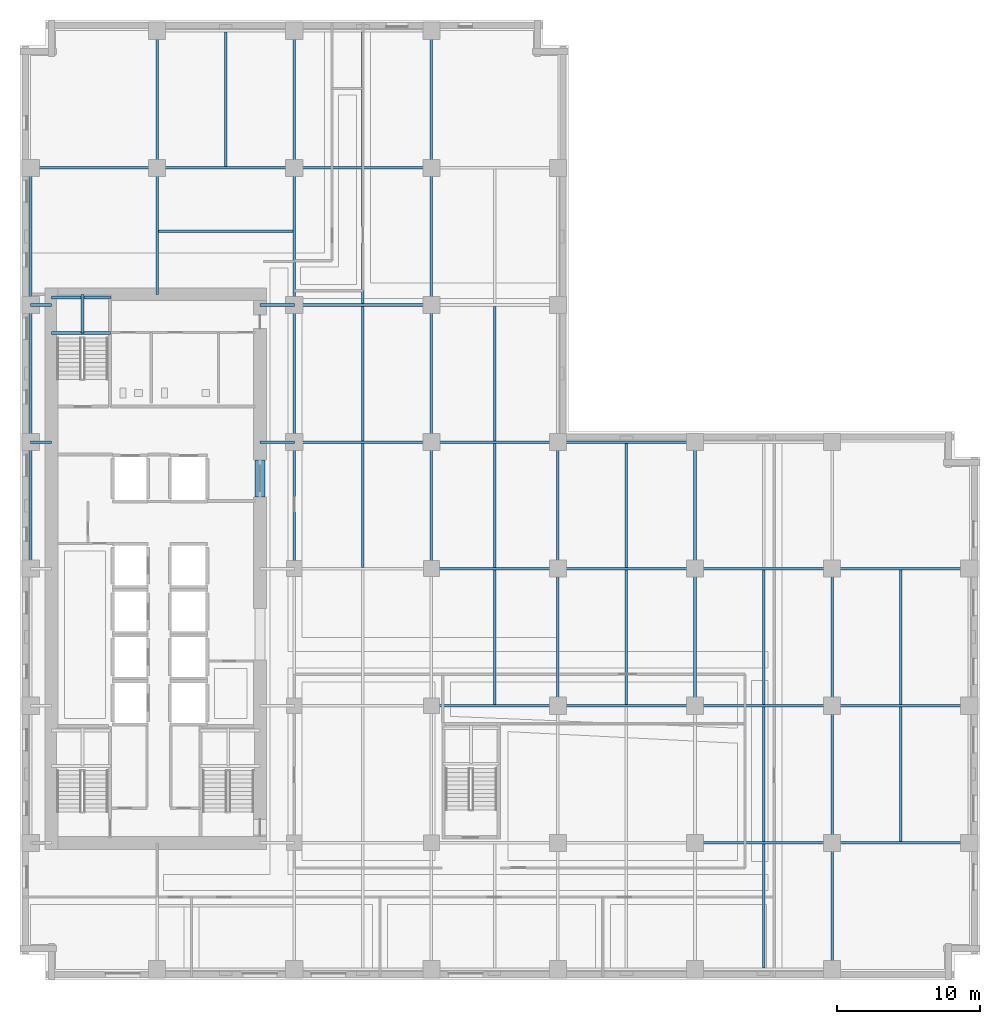
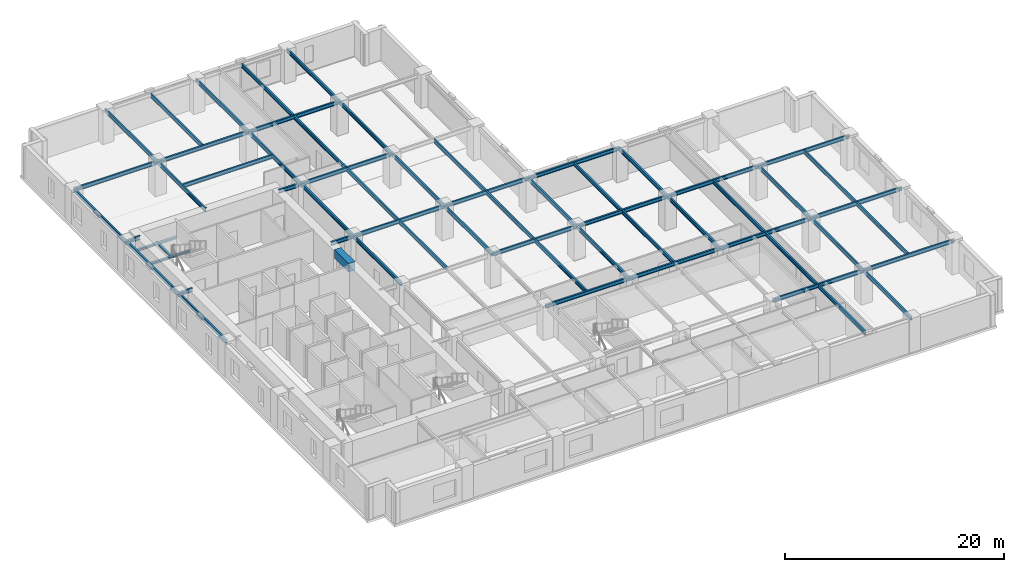
# One storey, part 2 of 13: 61 beams.
"""IFC4 building model written with IfcOpenShell, lengths in metres."""

from ifc_helpers import new_model, si_unit, direction, frame, origin, origin_2d, place, context, subcontext, project, spatial, rectangle, i_section, extrude, material, material_profile, profile_set, type_object, element, save


model = new_model("IFC4")

# Units and contexts
model_context = context("Model", 3, precision=1e-05, world=origin(), true_north=direction((0.0, 1.0)))
body_context = subcontext(model_context, "Body", "Model", "MODEL_VIEW")
ifc_project = project(units=[si_unit("LENGTHUNIT", "METRE"), si_unit("AREAUNIT", "SQUARE_METRE"), si_unit("VOLUMEUNIT", "CUBIC_METRE"), si_unit("PLANEANGLEUNIT", "RADIAN"), si_unit("MASSUNIT", "GRAM", prefix="KILO")], contexts=[model_context])

# Site, building, storey
site_placement = place(None, origin())
site = spatial("IfcSite", under=ifc_project, at=site_placement, CompositionType="ELEMENT")
building_placement = place(site_placement, origin())
building = spatial("IfcBuilding", under=site, at=building_placement, Name="Norrvale University Quadrangle", CompositionType="ELEMENT")
storey_placement = place(building_placement, frame((0.0, 0.0, 35.60009765625)))
storey = spatial("IfcBuildingStorey", under=building, at=storey_placement, Name="L08", CompositionType="ELEMENT", Elevation=35.60009765625)

# Beams
ifc_material_1 = material(Name="Steel 350W", Category="steel")
ifc_material_profile_1 = material_profile(ifc_material_1, i_section(OverallWidth=0.180908203125, OverallDepth=0.4169921875, WebThickness=0.010986328125, FlangeThickness=0.018310546875, FilletRadius=0.011962890625, at=origin_2d()), Name="Steel 350W")
ifc_profile_set_1 = profile_set([ifc_material_profile_1], Name="Steel 350W")
beam_type_1 = type_object("IfcBeamType", Name="Beam Atrium W410x85", PredefinedType="BEAM", material=ifc_profile_set_1)
beam_1_placement = place(storey_placement, frame((47.25, 9.60009765625, 3.331298828125), z_axis=(1.0, 0.0, 0.0), x_axis=(0.0, 1.0, 0.0)))
element("IfcBeam", 1, at=beam_1_placement, inside=storey, type_object=beam_type_1, Name="Beam Atrium W410x85 BM-L08-GX009", PredefinedType="BEAM", context=body_context, shape_type="SweptSolid", body=[
    extrude(i_section(OverallWidth=0.180908203125, OverallDepth=0.4169921875, WebThickness=0.010986328125, FlangeThickness=0.018310546875, FilletRadius=0.011962890625, at=origin_2d()), origin(), (0.0, 0.0, 1.0), 9.60009765625),
])
beam_2_placement = place(storey_placement, frame((56.85009765625, 9.60009765625, 3.331298828125), z_axis=(1.0, 0.0, 0.0), x_axis=(0.0, 1.0, 0.0)))
element("IfcBeam", 2, at=beam_2_placement, inside=storey, type_object=beam_type_1, Name="Beam Atrium W410x85 BM-L08-GX010", PredefinedType="BEAM", context=body_context, shape_type="SweptSolid", body=[
    extrude(i_section(OverallWidth=0.180908203125, OverallDepth=0.4169921875, WebThickness=0.010986328125, FlangeThickness=0.018310546875, FilletRadius=0.011962890625, at=origin_2d()), origin(), (0.0, 0.0, 1.0), 9.599853515625),
])
beam_3_placement = place(storey_placement, frame((28.800048828125, 19.199951171875, 3.331298828125), z_axis=(1.0, 0.0, 0.0), x_axis=(0.0, 1.0, 0.0)))
element("IfcBeam", 3, at=beam_3_placement, inside=storey, type_object=beam_type_1, Name="Beam Atrium W410x85 BM-L08-GX012", PredefinedType="BEAM", context=body_context, shape_type="SweptSolid", body=[
    extrude(i_section(OverallWidth=0.180908203125, OverallDepth=0.4169921875, WebThickness=0.010986328125, FlangeThickness=0.018310546875, FilletRadius=0.011962890625, at=origin_2d()), origin(), (0.0, 0.0, 1.0), 8.849853515625),
])
for number, where, z_axis, x_axis, name in (
    (4, (37.64990234375, 19.199951171875, 3.331298828125), (1.0, 0.0, 0.0), (0.0, 1.0, 0.0), "Beam Atrium W410x85 BM-L08-GX013"),
    (5, (47.25, 19.199951171875, 3.331298828125), (1.0, 0.0, 0.0), (0.0, 1.0, 0.0), "Beam Atrium W410x85 BM-L08-GX014"),
):
    element("IfcBeam", number, at=place(storey_placement, frame(where, z_axis=z_axis, x_axis=x_axis)), inside=storey, type_object=beam_type_1, Name=name, PredefinedType="BEAM", context=body_context, shape_type="SweptSolid", body=[
        extrude(i_section(OverallWidth=0.180908203125, OverallDepth=0.4169921875, WebThickness=0.010986328125, FlangeThickness=0.018310546875, FilletRadius=0.011962890625, at=origin_2d()), origin(), (0.0, 0.0, 1.0), 9.60009765625),
    ])
beam_4_placement = place(storey_placement, frame((56.85009765625, 19.199951171875, 3.331298828125), z_axis=(1.0, 0.0, 0.0), x_axis=(0.0, 1.0, 0.0)))
element("IfcBeam", 6, at=beam_4_placement, inside=storey, type_object=beam_type_1, Name="Beam Atrium W410x85 BM-L08-GX015", PredefinedType="BEAM", context=body_context, shape_type="SweptSolid", body=[
    extrude(i_section(OverallWidth=0.180908203125, OverallDepth=0.4169921875, WebThickness=0.010986328125, FlangeThickness=0.018310546875, FilletRadius=0.011962890625, at=origin_2d()), origin(), (0.0, 0.0, 1.0), 9.599853515625),
])
beam_5_placement = place(storey_placement, frame((28.800048828125, 28.800048828125, 3.331298828125), z_axis=(1.0, 0.0, 0.0), x_axis=(0.0, 1.0, 0.0)))
element("IfcBeam", 7, at=beam_5_placement, inside=storey, type_object=beam_type_1, Name="Beam Atrium W410x85 BM-L08-GX017", PredefinedType="BEAM", context=body_context, shape_type="SweptSolid", body=[
    extrude(i_section(OverallWidth=0.180908203125, OverallDepth=0.4169921875, WebThickness=0.010986328125, FlangeThickness=0.018310546875, FilletRadius=0.011962890625, at=origin_2d()), origin(), (0.0, 0.0, 1.0), 8.849853515625),
])
for number, where, z_axis, x_axis, name in (
    (8, (37.64990234375, 28.800048828125, 3.331298828125), (1.0, 0.0, 0.0), (0.0, 1.0, 0.0), "Beam Atrium W410x85 BM-L08-GX018"),
    (9, (47.25, 28.800048828125, 3.331298828125), (1.0, 0.0, 0.0), (0.0, 1.0, 0.0), "Beam Atrium W410x85 BM-L08-GX019"),
):
    element("IfcBeam", number, at=place(storey_placement, frame(where, z_axis=z_axis, x_axis=x_axis)), inside=storey, type_object=beam_type_1, Name=name, PredefinedType="BEAM", context=body_context, shape_type="SweptSolid", body=[
        extrude(i_section(OverallWidth=0.180908203125, OverallDepth=0.4169921875, WebThickness=0.010986328125, FlangeThickness=0.018310546875, FilletRadius=0.011962890625, at=origin_2d()), origin(), (0.0, 0.0, 1.0), 9.60009765625),
    ])
beam_6_placement = place(storey_placement, frame((56.85009765625, 28.800048828125, 3.331298828125), z_axis=(1.0, 0.0, 0.0), x_axis=(0.0, 1.0, 0.0)))
element("IfcBeam", 10, at=beam_6_placement, inside=storey, type_object=beam_type_1, Name="Beam Atrium W410x85 BM-L08-GX020", PredefinedType="BEAM", context=body_context, shape_type="SweptSolid", body=[
    extrude(i_section(OverallWidth=0.180908203125, OverallDepth=0.4169921875, WebThickness=0.010986328125, FlangeThickness=0.018310546875, FilletRadius=0.011962890625, at=origin_2d()), origin(), (0.0, 0.0, 1.0), 9.599853515625),
])
beam_7_placement = place(storey_placement, frame((19.199951171875, 37.64990234375, 3.331298828125), z_axis=(1.0, 0.0, 0.0), x_axis=(0.0, 1.0, 0.0)))
element("IfcBeam", 11, at=beam_7_placement, inside=storey, type_object=beam_type_1, Name="Beam Atrium W410x85 BM-L08-GX021", PredefinedType="BEAM", context=body_context, shape_type="SweptSolid", body=[
    extrude(i_section(OverallWidth=0.180908203125, OverallDepth=0.4169921875, WebThickness=0.010986328125, FlangeThickness=0.018310546875, FilletRadius=0.011962890625, at=origin_2d()), origin(), (0.0, 0.0, 1.0), 9.60009765625),
])
beam_8_placement = place(storey_placement, frame((28.800048828125, 37.64990234375, 3.331298828125), z_axis=(1.0, 0.0, 0.0), x_axis=(0.0, 1.0, 0.0)))
element("IfcBeam", 12, at=beam_8_placement, inside=storey, type_object=beam_type_1, Name="Beam Atrium W410x85 BM-L08-GX022", PredefinedType="BEAM", context=body_context, shape_type="SweptSolid", body=[
    extrude(i_section(OverallWidth=0.180908203125, OverallDepth=0.4169921875, WebThickness=0.010986328125, FlangeThickness=0.018310546875, FilletRadius=0.011962890625, at=origin_2d()), origin(), (0.0, 0.0, 1.0), 8.849853515625),
])
for number, where, z_axis, x_axis, name in (
    (13, (37.64990234375, 37.64990234375, 3.331298828125), (1.0, 0.0, 0.0), (0.0, 1.0, 0.0), "Beam Atrium W410x85 BM-L08-GX023"),
    (14, (19.199951171875, 47.25, 3.331298828125), (1.0, 0.0, 0.0), (0.0, 1.0, 0.0), "Beam Atrium W410x85 BM-L08-GX025"),
):
    element("IfcBeam", number, at=place(storey_placement, frame(where, z_axis=z_axis, x_axis=x_axis)), inside=storey, type_object=beam_type_1, Name=name, PredefinedType="BEAM", context=body_context, shape_type="SweptSolid", body=[
        extrude(i_section(OverallWidth=0.180908203125, OverallDepth=0.4169921875, WebThickness=0.010986328125, FlangeThickness=0.018310546875, FilletRadius=0.011962890625, at=origin_2d()), origin(), (0.0, 0.0, 1.0), 9.60009765625),
    ])
beam_9_placement = place(storey_placement, frame((0.75, 56.85009765625, 3.331298828125), z_axis=(1.0, 0.0, 0.0), x_axis=(0.0, 1.0, 0.0)))
element("IfcBeam", 15, at=beam_9_placement, inside=storey, type_object=beam_type_1, Name="Beam Atrium W410x85 BM-L08-GX027", PredefinedType="BEAM", context=body_context, shape_type="SweptSolid", body=[
    extrude(i_section(OverallWidth=0.180908203125, OverallDepth=0.4169921875, WebThickness=0.010986328125, FlangeThickness=0.018310546875, FilletRadius=0.011962890625, at=origin_2d()), origin(), (0.0, 0.0, 1.0), 8.85009765625),
])
beam_10_placement = place(storey_placement, frame((9.60009765625, 56.85009765625, 3.331298828125), z_axis=(1.0, 0.0, 0.0), x_axis=(0.0, 1.0, 0.0)))
element("IfcBeam", 16, at=beam_10_placement, inside=storey, type_object=beam_type_1, Name="Beam Atrium W410x85 BM-L08-GX028", PredefinedType="BEAM", context=body_context, shape_type="SweptSolid", body=[
    extrude(i_section(OverallWidth=0.180908203125, OverallDepth=0.4169921875, WebThickness=0.010986328125, FlangeThickness=0.018310546875, FilletRadius=0.011962890625, at=origin_2d()), origin(), (0.0, 0.0, 1.0), 9.599853515625),
])
beam_11_placement = place(storey_placement, frame((19.199951171875, 56.85009765625, 3.331298828125), z_axis=(1.0, 0.0, 0.0), x_axis=(0.0, 1.0, 0.0)))
element("IfcBeam", 17, at=beam_11_placement, inside=storey, type_object=beam_type_1, Name="Beam Atrium W410x85 BM-L08-GX029", PredefinedType="BEAM", context=body_context, shape_type="SweptSolid", body=[
    extrude(i_section(OverallWidth=0.180908203125, OverallDepth=0.4169921875, WebThickness=0.010986328125, FlangeThickness=0.018310546875, FilletRadius=0.011962890625, at=origin_2d()), origin(), (0.0, 0.0, 1.0), 9.60009765625),
])
beam_12_placement = place(storey_placement, frame((0.75, 28.800048828125, 3.331298828125), z_axis=(0.0, 1.0, 0.0), x_axis=(-1.0, 0.0, 0.0)))
element("IfcBeam", 18, at=beam_12_placement, inside=storey, type_object=beam_type_1, Name="Beam Atrium W410x85 BM-L08-GY035", PredefinedType="BEAM", context=body_context, shape_type="SweptSolid", body=[
    extrude(i_section(OverallWidth=0.180908203125, OverallDepth=0.4169921875, WebThickness=0.010986328125, FlangeThickness=0.018310546875, FilletRadius=0.011962890625, at=origin_2d()), origin(), (0.0, 0.0, 1.0), 8.849853515625),
])
for number, where, z_axis, x_axis, name in (
    (19, (0.75, 37.64990234375, 3.331298828125), (0.0, 1.0, 0.0), (-1.0, 0.0, 0.0), "Beam Atrium W410x85 BM-L08-GY036"),
    (20, (0.75, 47.25, 3.331298828125), (0.0, 1.0, 0.0), (-1.0, 0.0, 0.0), "Beam Atrium W410x85 BM-L08-GY037"),
):
    element("IfcBeam", number, at=place(storey_placement, frame(where, z_axis=z_axis, x_axis=x_axis)), inside=storey, type_object=beam_type_1, Name=name, PredefinedType="BEAM", context=body_context, shape_type="SweptSolid", body=[
        extrude(i_section(OverallWidth=0.180908203125, OverallDepth=0.4169921875, WebThickness=0.010986328125, FlangeThickness=0.018310546875, FilletRadius=0.011962890625, at=origin_2d()), origin(), (0.0, 0.0, 1.0), 9.60009765625),
    ])
beam_13_placement = place(storey_placement, frame((9.60009765625, 56.85009765625, 3.331298828125), z_axis=(0.0, 1.0, 0.0), x_axis=(-1.0, 0.0, 0.0)))
element("IfcBeam", 21, at=beam_13_placement, inside=storey, type_object=beam_type_1, Name="Beam Atrium W410x85 BM-L08-GY038", PredefinedType="BEAM", context=body_context, shape_type="SweptSolid", body=[
    extrude(i_section(OverallWidth=0.180908203125, OverallDepth=0.4169921875, WebThickness=0.010986328125, FlangeThickness=0.018310546875, FilletRadius=0.011962890625, at=origin_2d()), origin(), (0.0, 0.0, 1.0), 9.599853515625),
])
beam_14_placement = place(storey_placement, frame((19.199951171875, 28.800048828125, 3.331298828125), z_axis=(0.0, 1.0, 0.0), x_axis=(-1.0, 0.0, 0.0)))
element("IfcBeam", 22, at=beam_14_placement, inside=storey, type_object=beam_type_1, Name="Beam Atrium W410x85 BM-L08-GY042", PredefinedType="BEAM", context=body_context, shape_type="SweptSolid", body=[
    extrude(i_section(OverallWidth=0.180908203125, OverallDepth=0.4169921875, WebThickness=0.010986328125, FlangeThickness=0.018310546875, FilletRadius=0.011962890625, at=origin_2d()), origin(), (0.0, 0.0, 1.0), 8.849853515625),
])
for number, where, z_axis, x_axis, name in (
    (23, (19.199951171875, 37.64990234375, 3.331298828125), (0.0, 1.0, 0.0), (-1.0, 0.0, 0.0), "Beam Atrium W410x85 BM-L08-GY043"),
    (24, (19.199951171875, 47.25, 3.331298828125), (0.0, 1.0, 0.0), (-1.0, 0.0, 0.0), "Beam Atrium W410x85 BM-L08-GY044"),
):
    element("IfcBeam", number, at=place(storey_placement, frame(where, z_axis=z_axis, x_axis=x_axis)), inside=storey, type_object=beam_type_1, Name=name, PredefinedType="BEAM", context=body_context, shape_type="SweptSolid", body=[
        extrude(i_section(OverallWidth=0.180908203125, OverallDepth=0.4169921875, WebThickness=0.010986328125, FlangeThickness=0.018310546875, FilletRadius=0.011962890625, at=origin_2d()), origin(), (0.0, 0.0, 1.0), 9.60009765625),
    ])
beam_15_placement = place(storey_placement, frame((19.199951171875, 56.85009765625, 3.331298828125), z_axis=(0.0, 1.0, 0.0), x_axis=(-1.0, 0.0, 0.0)))
element("IfcBeam", 25, at=beam_15_placement, inside=storey, type_object=beam_type_1, Name="Beam Atrium W410x85 BM-L08-GY045", PredefinedType="BEAM", context=body_context, shape_type="SweptSolid", body=[
    extrude(i_section(OverallWidth=0.180908203125, OverallDepth=0.4169921875, WebThickness=0.010986328125, FlangeThickness=0.018310546875, FilletRadius=0.011962890625, at=origin_2d()), origin(), (0.0, 0.0, 1.0), 9.599853515625),
])
beam_16_placement = place(storey_placement, frame((28.800048828125, 28.800048828125, 3.331298828125), z_axis=(0.0, 1.0, 0.0), x_axis=(-1.0, 0.0, 0.0)))
element("IfcBeam", 26, at=beam_16_placement, inside=storey, type_object=beam_type_1, Name="Beam Atrium W410x85 BM-L08-GY049", PredefinedType="BEAM", context=body_context, shape_type="SweptSolid", body=[
    extrude(i_section(OverallWidth=0.180908203125, OverallDepth=0.4169921875, WebThickness=0.010986328125, FlangeThickness=0.018310546875, FilletRadius=0.011962890625, at=origin_2d()), origin(), (0.0, 0.0, 1.0), 8.849853515625),
])
for number, where, z_axis, x_axis, name in (
    (27, (28.800048828125, 37.64990234375, 3.331298828125), (0.0, 1.0, 0.0), (-1.0, 0.0, 0.0), "Beam Atrium W410x85 BM-L08-GY050"),
    (28, (28.800048828125, 47.25, 3.331298828125), (0.0, 1.0, 0.0), (-1.0, 0.0, 0.0), "Beam Atrium W410x85 BM-L08-GY051"),
):
    element("IfcBeam", number, at=place(storey_placement, frame(where, z_axis=z_axis, x_axis=x_axis)), inside=storey, type_object=beam_type_1, Name=name, PredefinedType="BEAM", context=body_context, shape_type="SweptSolid", body=[
        extrude(i_section(OverallWidth=0.180908203125, OverallDepth=0.4169921875, WebThickness=0.010986328125, FlangeThickness=0.018310546875, FilletRadius=0.011962890625, at=origin_2d()), origin(), (0.0, 0.0, 1.0), 9.60009765625),
    ])
beam_17_placement = place(storey_placement, frame((28.800048828125, 56.85009765625, 3.331298828125), z_axis=(0.0, 1.0, 0.0), x_axis=(-1.0, 0.0, 0.0)))
element("IfcBeam", 29, at=beam_17_placement, inside=storey, type_object=beam_type_1, Name="Beam Atrium W410x85 BM-L08-GY052", PredefinedType="BEAM", context=body_context, shape_type="SweptSolid", body=[
    extrude(i_section(OverallWidth=0.180908203125, OverallDepth=0.4169921875, WebThickness=0.010986328125, FlangeThickness=0.018310546875, FilletRadius=0.011962890625, at=origin_2d()), origin(), (0.0, 0.0, 1.0), 9.599853515625),
])
beam_18_placement = place(storey_placement, frame((37.64990234375, 19.199951171875, 3.331298828125), z_axis=(0.0, 1.0, 0.0), x_axis=(-1.0, 0.0, 0.0)))
element("IfcBeam", 30, at=beam_18_placement, inside=storey, type_object=beam_type_1, Name="Beam Atrium W410x85 BM-L08-GY055", PredefinedType="BEAM", context=body_context, shape_type="SweptSolid", body=[
    extrude(i_section(OverallWidth=0.180908203125, OverallDepth=0.4169921875, WebThickness=0.010986328125, FlangeThickness=0.018310546875, FilletRadius=0.011962890625, at=origin_2d()), origin(), (0.0, 0.0, 1.0), 9.60009765625),
])
beam_19_placement = place(storey_placement, frame((37.64990234375, 28.800048828125, 3.331298828125), z_axis=(0.0, 1.0, 0.0), x_axis=(-1.0, 0.0, 0.0)))
element("IfcBeam", 31, at=beam_19_placement, inside=storey, type_object=beam_type_1, Name="Beam Atrium W410x85 BM-L08-GY056", PredefinedType="BEAM", context=body_context, shape_type="SweptSolid", body=[
    extrude(i_section(OverallWidth=0.180908203125, OverallDepth=0.4169921875, WebThickness=0.010986328125, FlangeThickness=0.018310546875, FilletRadius=0.011962890625, at=origin_2d()), origin(), (0.0, 0.0, 1.0), 8.849853515625),
])
beam_20_placement = place(storey_placement, frame((47.25, 19.199951171875, 3.331298828125), z_axis=(0.0, 1.0, 0.0), x_axis=(-1.0, 0.0, 0.0)))
element("IfcBeam", 32, at=beam_20_placement, inside=storey, type_object=beam_type_1, Name="Beam Atrium W410x85 BM-L08-GY061", PredefinedType="BEAM", context=body_context, shape_type="SweptSolid", body=[
    extrude(i_section(OverallWidth=0.180908203125, OverallDepth=0.4169921875, WebThickness=0.010986328125, FlangeThickness=0.018310546875, FilletRadius=0.011962890625, at=origin_2d()), origin(), (0.0, 0.0, 1.0), 9.60009765625),
])
beam_21_placement = place(storey_placement, frame((47.25, 28.800048828125, 3.331298828125), z_axis=(0.0, 1.0, 0.0), x_axis=(-1.0, 0.0, 0.0)))
element("IfcBeam", 33, at=beam_21_placement, inside=storey, type_object=beam_type_1, Name="Beam Atrium W410x85 BM-L08-GY062", PredefinedType="BEAM", context=body_context, shape_type="SweptSolid", body=[
    extrude(i_section(OverallWidth=0.180908203125, OverallDepth=0.4169921875, WebThickness=0.010986328125, FlangeThickness=0.018310546875, FilletRadius=0.011962890625, at=origin_2d()), origin(), (0.0, 0.0, 1.0), 8.849853515625),
])
beam_22_placement = place(storey_placement, frame((56.85009765625, 0.75, 3.331298828125), z_axis=(0.0, 1.0, 0.0), x_axis=(-1.0, 0.0, 0.0)))
element("IfcBeam", 34, at=beam_22_placement, inside=storey, type_object=beam_type_1, Name="Beam Atrium W410x85 BM-L08-GY063", PredefinedType="BEAM", context=body_context, shape_type="SweptSolid", body=[
    extrude(i_section(OverallWidth=0.180908203125, OverallDepth=0.4169921875, WebThickness=0.010986328125, FlangeThickness=0.018310546875, FilletRadius=0.011962890625, at=origin_2d()), origin(), (0.0, 0.0, 1.0), 8.85009765625),
])
beam_23_placement = place(storey_placement, frame((56.85009765625, 9.60009765625, 3.331298828125), z_axis=(0.0, 1.0, 0.0), x_axis=(-1.0, 0.0, 0.0)))
element("IfcBeam", 35, at=beam_23_placement, inside=storey, type_object=beam_type_1, Name="Beam Atrium W410x85 BM-L08-GY064", PredefinedType="BEAM", context=body_context, shape_type="SweptSolid", body=[
    extrude(i_section(OverallWidth=0.180908203125, OverallDepth=0.4169921875, WebThickness=0.010986328125, FlangeThickness=0.018310546875, FilletRadius=0.011962890625, at=origin_2d()), origin(), (0.0, 0.0, 1.0), 9.599853515625),
])
beam_24_placement = place(storey_placement, frame((56.85009765625, 19.199951171875, 3.331298828125), z_axis=(0.0, 1.0, 0.0), x_axis=(-1.0, 0.0, 0.0)))
element("IfcBeam", 36, at=beam_24_placement, inside=storey, type_object=beam_type_1, Name="Beam Atrium W410x85 BM-L08-GY065", PredefinedType="BEAM", context=body_context, shape_type="SweptSolid", body=[
    extrude(i_section(OverallWidth=0.180908203125, OverallDepth=0.4169921875, WebThickness=0.010986328125, FlangeThickness=0.018310546875, FilletRadius=0.011962890625, at=origin_2d()), origin(), (0.0, 0.0, 1.0), 9.60009765625),
])
beam_25_placement = place(storey_placement, frame((0.75, 37.64990234375, 3.331298828125), z_axis=(1.0, 0.0, 0.0), x_axis=(0.0, 1.0, 0.0)))
element("IfcBeam", 37, at=beam_25_placement, inside=storey, type_object=beam_type_1, Name="Beam Atrium W410x85 BM-L08-GCW075", PredefinedType="BEAM", context=body_context, shape_type="SweptSolid", body=[
    extrude(i_section(OverallWidth=0.180908203125, OverallDepth=0.4169921875, WebThickness=0.010986328125, FlangeThickness=0.018310546875, FilletRadius=0.011962890625, at=origin_2d()), origin(), (0.0, 0.0, 1.0), 1.449951171875),
])
beam_26_placement = place(storey_placement, frame((16.800048828125, 37.64990234375, 3.331298828125), z_axis=(1.0, 0.0, 0.0), x_axis=(0.0, 1.0, 0.0)))
element("IfcBeam", 38, at=beam_26_placement, inside=storey, type_object=beam_type_1, Name="Beam Atrium W410x85 BM-L08-GCE076", PredefinedType="BEAM", context=body_context, shape_type="SweptSolid", body=[
    extrude(i_section(OverallWidth=0.180908203125, OverallDepth=0.4169921875, WebThickness=0.010986328125, FlangeThickness=0.018310546875, FilletRadius=0.011962890625, at=origin_2d()), origin(), (0.0, 0.0, 1.0), 2.39990234375),
])
beam_27_placement = place(storey_placement, frame((0.75, 47.25, 3.331298828125), z_axis=(1.0, 0.0, 0.0), x_axis=(0.0, 1.0, 0.0)))
element("IfcBeam", 39, at=beam_27_placement, inside=storey, type_object=beam_type_1, Name="Beam Atrium W410x85 BM-L08-GCW077", PredefinedType="BEAM", context=body_context, shape_type="SweptSolid", body=[
    extrude(i_section(OverallWidth=0.180908203125, OverallDepth=0.4169921875, WebThickness=0.010986328125, FlangeThickness=0.018310546875, FilletRadius=0.011962890625, at=origin_2d()), origin(), (0.0, 0.0, 1.0), 1.449951171875),
])
beam_28_placement = place(storey_placement, frame((16.800048828125, 47.25, 3.331298828125), z_axis=(1.0, 0.0, 0.0), x_axis=(0.0, 1.0, 0.0)))
element("IfcBeam", 40, at=beam_28_placement, inside=storey, type_object=beam_type_1, Name="Beam Atrium W410x85 BM-L08-GCE078", PredefinedType="BEAM", context=body_context, shape_type="SweptSolid", body=[
    extrude(i_section(OverallWidth=0.180908203125, OverallDepth=0.4169921875, WebThickness=0.010986328125, FlangeThickness=0.018310546875, FilletRadius=0.011962890625, at=origin_2d()), origin(), (0.0, 0.0, 1.0), 2.39990234375),
])
beam_29_placement = place(storey_placement, frame((9.60009765625, 48.0, 3.331298828125), z_axis=(0.0, 1.0, 0.0), x_axis=(-1.0, 0.0, 0.0)))
element("IfcBeam", 41, at=beam_29_placement, inside=storey, type_object=beam_type_1, Name="Beam Atrium W410x85 BM-L08-GCN104", PredefinedType="BEAM", context=body_context, shape_type="SweptSolid", body=[
    extrude(i_section(OverallWidth=0.180908203125, OverallDepth=0.4169921875, WebThickness=0.010986328125, FlangeThickness=0.018310546875, FilletRadius=0.011962890625, at=origin_2d()), origin(), (0.0, 0.0, 1.0), 8.85009765625),
])
ifc_material_2 = material(Name="Concrete C80/95", Category="concrete")
ifc_material_profile_2 = material_profile(ifc_material_2, rectangle(XDim=0.699951171875, YDim=0.949951171875, at=origin_2d()), Name="Concrete C80/95")
ifc_profile_set_2 = profile_set([ifc_material_profile_2], Name="Concrete C80/95")
beam_type_2 = type_object("IfcBeamType", Name="Beam Core Link 700x950", PredefinedType="LINTEL", material=ifc_profile_set_2)
beam_30_placement = place(storey_placement, frame((16.800048828125, 33.800048828125, 3.06494140625), z_axis=(0.0, 1.0, 0.0), x_axis=(-1.0, 0.0, 0.0)))
element("IfcBeam", 42, at=beam_30_placement, inside=storey, type_object=beam_type_2, Name="Core Coupling Lintel Beam L08-2", PredefinedType="LINTEL", context=body_context, shape_type="SweptSolid", body=[
    extrude(rectangle(XDim=0.699951171875, YDim=0.949951171875, at=origin_2d()), origin(), (0.0, 0.0, 1.0), 2.599853515625),
])
ifc_material_profile_3 = material_profile(ifc_material_1, i_section(OverallWidth=0.177978515625, OverallDepth=0.406982421875, WebThickness=0.0078125, FlangeThickness=0.0126953125, FilletRadius=0.011962890625, at=origin_2d()), Name="Steel 350W")
ifc_profile_set_3 = profile_set([ifc_material_profile_3], Name="Steel 350W")
beam_type_3 = type_object("IfcBeamType", Name="Beam Roof Purlin W410x60", PredefinedType="USERDEFINED", material=ifc_profile_set_3)
beam_31_placement = place(storey_placement, frame((14.39990234375, 56.9404296875, 3.33642578125), z_axis=(0.0, 1.0, 0.0), x_axis=(-1.0, 0.0, 0.0)))
element("IfcBeam", 43, at=beam_31_placement, inside=storey, type_object=beam_type_3, Name="Beam Roof Purlin W410x60 BM-L08-J079", ObjectType="PURLIN", PredefinedType="USERDEFINED", context=body_context, shape_type="SweptSolid", body=[
    extrude(i_section(OverallWidth=0.177978515625, OverallDepth=0.406982421875, WebThickness=0.0078125, FlangeThickness=0.0126953125, FilletRadius=0.011962890625, at=origin_2d()), origin(), (0.0, 0.0, 1.0), 9.419189453125),
])
beam_32_placement = place(storey_placement, frame((24.0, 28.890380859375, 3.33642578125), z_axis=(0.0, 1.0, 0.0), x_axis=(-1.0, 0.0, 0.0)))
element("IfcBeam", 44, at=beam_32_placement, inside=storey, type_object=beam_type_3, Name="Beam Roof Purlin W410x60 BM-L08-J083", ObjectType="PURLIN", PredefinedType="USERDEFINED", context=body_context, shape_type="SweptSolid", body=[
    extrude(i_section(OverallWidth=0.177978515625, OverallDepth=0.406982421875, WebThickness=0.0078125, FlangeThickness=0.0126953125, FilletRadius=0.011962890625, at=origin_2d()), origin(), (0.0, 0.0, 1.0), 8.669189453125),
])
for number, where, z_axis, x_axis, name in (
    (45, (24.0, 37.740478515625, 3.33642578125), (0.0, 1.0, 0.0), (-1.0, 0.0, 0.0), "Beam Roof Purlin W410x60 BM-L08-J084"),
    (46, (24.0, 47.340576171875, 3.33642578125), (0.0, 1.0, 0.0), (-1.0, 0.0, 0.0), "Beam Roof Purlin W410x60 BM-L08-J085"),
):
    element("IfcBeam", number, at=place(storey_placement, frame(where, z_axis=z_axis, x_axis=x_axis)), inside=storey, type_object=beam_type_3, Name=name, ObjectType="PURLIN", PredefinedType="USERDEFINED", context=body_context, shape_type="SweptSolid", body=[
        extrude(i_section(OverallWidth=0.177978515625, OverallDepth=0.406982421875, WebThickness=0.0078125, FlangeThickness=0.0126953125, FilletRadius=0.011962890625, at=origin_2d()), origin(), (0.0, 0.0, 1.0), 9.4189453125),
    ])
beam_33_placement = place(storey_placement, frame((24.0, 56.9404296875, 3.33642578125), z_axis=(0.0, 1.0, 0.0), x_axis=(-1.0, 0.0, 0.0)))
element("IfcBeam", 47, at=beam_33_placement, inside=storey, type_object=beam_type_3, Name="Beam Roof Purlin W410x60 BM-L08-J086", ObjectType="PURLIN", PredefinedType="USERDEFINED", context=body_context, shape_type="SweptSolid", body=[
    extrude(i_section(OverallWidth=0.177978515625, OverallDepth=0.406982421875, WebThickness=0.0078125, FlangeThickness=0.0126953125, FilletRadius=0.011962890625, at=origin_2d()), origin(), (0.0, 0.0, 1.0), 9.419189453125),
])
beam_34_placement = place(storey_placement, frame((33.22509765625, 19.29052734375, 3.33642578125), z_axis=(0.0, 1.0, 0.0), x_axis=(-1.0, 0.0, 0.0)))
element("IfcBeam", 48, at=beam_34_placement, inside=storey, type_object=beam_type_3, Name="Beam Roof Purlin W410x60 BM-L08-J088", ObjectType="PURLIN", PredefinedType="USERDEFINED", context=body_context, shape_type="SweptSolid", body=[
    extrude(i_section(OverallWidth=0.177978515625, OverallDepth=0.406982421875, WebThickness=0.0078125, FlangeThickness=0.0126953125, FilletRadius=0.011962890625, at=origin_2d()), origin(), (0.0, 0.0, 1.0), 9.4189453125),
])
beam_35_placement = place(storey_placement, frame((33.22509765625, 28.890380859375, 3.33642578125), z_axis=(0.0, 1.0, 0.0), x_axis=(-1.0, 0.0, 0.0)))
element("IfcBeam", 49, at=beam_35_placement, inside=storey, type_object=beam_type_3, Name="Beam Roof Purlin W410x60 BM-L08-J089", ObjectType="PURLIN", PredefinedType="USERDEFINED", context=body_context, shape_type="SweptSolid", body=[
    extrude(i_section(OverallWidth=0.177978515625, OverallDepth=0.406982421875, WebThickness=0.0078125, FlangeThickness=0.0126953125, FilletRadius=0.011962890625, at=origin_2d()), origin(), (0.0, 0.0, 1.0), 8.669189453125),
])
for number, where, z_axis, x_axis, name in (
    (50, (33.22509765625, 37.740478515625, 3.33642578125), (0.0, 1.0, 0.0), (-1.0, 0.0, 0.0), "Beam Roof Purlin W410x60 BM-L08-J090"),
    (51, (42.449951171875, 19.29052734375, 3.33642578125), (0.0, 1.0, 0.0), (-1.0, 0.0, 0.0), "Beam Roof Purlin W410x60 BM-L08-J094"),
):
    element("IfcBeam", number, at=place(storey_placement, frame(where, z_axis=z_axis, x_axis=x_axis)), inside=storey, type_object=beam_type_3, Name=name, ObjectType="PURLIN", PredefinedType="USERDEFINED", context=body_context, shape_type="SweptSolid", body=[
        extrude(i_section(OverallWidth=0.177978515625, OverallDepth=0.406982421875, WebThickness=0.0078125, FlangeThickness=0.0126953125, FilletRadius=0.011962890625, at=origin_2d()), origin(), (0.0, 0.0, 1.0), 9.4189453125),
    ])
beam_36_placement = place(storey_placement, frame((42.449951171875, 28.890380859375, 3.33642578125), z_axis=(0.0, 1.0, 0.0), x_axis=(-1.0, 0.0, 0.0)))
element("IfcBeam", 52, at=beam_36_placement, inside=storey, type_object=beam_type_3, Name="Beam Roof Purlin W410x60 BM-L08-J095", ObjectType="PURLIN", PredefinedType="USERDEFINED", context=body_context, shape_type="SweptSolid", body=[
    extrude(i_section(OverallWidth=0.177978515625, OverallDepth=0.406982421875, WebThickness=0.0078125, FlangeThickness=0.0126953125, FilletRadius=0.011962890625, at=origin_2d()), origin(), (0.0, 0.0, 1.0), 8.669189453125),
])
beam_37_placement = place(storey_placement, frame((52.050048828125, 0.840576171875, 3.33642578125), z_axis=(0.0, 1.0, 0.0), x_axis=(-1.0, 0.0, 0.0)))
element("IfcBeam", 53, at=beam_37_placement, inside=storey, type_object=beam_type_3, Name="Beam Roof Purlin W410x60 BM-L08-J096", ObjectType="PURLIN", PredefinedType="USERDEFINED", context=body_context, shape_type="SweptSolid", body=[
    extrude(i_section(OverallWidth=0.177978515625, OverallDepth=0.406982421875, WebThickness=0.0078125, FlangeThickness=0.0126953125, FilletRadius=0.011962890625, at=origin_2d()), origin(), (0.0, 0.0, 1.0), 8.6689453125),
])
beam_38_placement = place(storey_placement, frame((52.050048828125, 9.6904296875, 3.33642578125), z_axis=(0.0, 1.0, 0.0), x_axis=(-1.0, 0.0, 0.0)))
element("IfcBeam", 54, at=beam_38_placement, inside=storey, type_object=beam_type_3, Name="Beam Roof Purlin W410x60 BM-L08-J097", ObjectType="PURLIN", PredefinedType="USERDEFINED", context=body_context, shape_type="SweptSolid", body=[
    extrude(i_section(OverallWidth=0.177978515625, OverallDepth=0.406982421875, WebThickness=0.0078125, FlangeThickness=0.0126953125, FilletRadius=0.011962890625, at=origin_2d()), origin(), (0.0, 0.0, 1.0), 9.419189453125),
])
beam_39_placement = place(storey_placement, frame((52.050048828125, 19.29052734375, 3.33642578125), z_axis=(0.0, 1.0, 0.0), x_axis=(-1.0, 0.0, 0.0)))
element("IfcBeam", 55, at=beam_39_placement, inside=storey, type_object=beam_type_3, Name="Beam Roof Purlin W410x60 BM-L08-J098", ObjectType="PURLIN", PredefinedType="USERDEFINED", context=body_context, shape_type="SweptSolid", body=[
    extrude(i_section(OverallWidth=0.177978515625, OverallDepth=0.406982421875, WebThickness=0.0078125, FlangeThickness=0.0126953125, FilletRadius=0.011962890625, at=origin_2d()), origin(), (0.0, 0.0, 1.0), 9.4189453125),
])
beam_40_placement = place(storey_placement, frame((61.64990234375, 9.6904296875, 3.33642578125), z_axis=(0.0, 1.0, 0.0), x_axis=(-1.0, 0.0, 0.0)))
element("IfcBeam", 56, at=beam_40_placement, inside=storey, type_object=beam_type_3, Name="Beam Roof Purlin W410x60 BM-L08-J100", ObjectType="PURLIN", PredefinedType="USERDEFINED", context=body_context, shape_type="SweptSolid", body=[
    extrude(i_section(OverallWidth=0.177978515625, OverallDepth=0.406982421875, WebThickness=0.0078125, FlangeThickness=0.0126953125, FilletRadius=0.011962890625, at=origin_2d()), origin(), (0.0, 0.0, 1.0), 9.419189453125),
])
beam_41_placement = place(storey_placement, frame((61.64990234375, 19.29052734375, 3.33642578125), z_axis=(0.0, 1.0, 0.0), x_axis=(-1.0, 0.0, 0.0)))
element("IfcBeam", 57, at=beam_41_placement, inside=storey, type_object=beam_type_3, Name="Beam Roof Purlin W410x60 BM-L08-J101", ObjectType="PURLIN", PredefinedType="USERDEFINED", context=body_context, shape_type="SweptSolid", body=[
    extrude(i_section(OverallWidth=0.177978515625, OverallDepth=0.406982421875, WebThickness=0.0078125, FlangeThickness=0.0126953125, FilletRadius=0.011962890625, at=origin_2d()), origin(), (0.0, 0.0, 1.0), 9.4189453125),
])
beam_42_placement = place(storey_placement, frame((9.6904296875, 52.39990234375, 3.33642578125), z_axis=(1.0, 0.0, 0.0), x_axis=(0.0, 1.0, 0.0)))
element("IfcBeam", 58, at=beam_42_placement, inside=storey, type_object=beam_type_3, Name="Beam Roof Purlin W410x60 BM-L08-JCN105", ObjectType="PURLIN", PredefinedType="USERDEFINED", context=body_context, shape_type="SweptSolid", body=[
    extrude(i_section(OverallWidth=0.177978515625, OverallDepth=0.406982421875, WebThickness=0.0078125, FlangeThickness=0.0126953125, FilletRadius=0.011962890625, at=origin_2d()), origin(), (0.0, 0.0, 1.0), 9.419189453125),
])
ifc_material_profile_4 = material_profile(ifc_material_1, i_section(OverallWidth=0.201904296875, OverallDepth=0.2470703125, WebThickness=0.00732421875, FlangeThickness=0.010986328125, FilletRadius=0.011962890625, at=origin_2d()), Name="Steel 350W")
ifc_profile_set_4 = profile_set([ifc_material_profile_4], Name="Steel 350W")
beam_type_4 = type_object("IfcBeamType", Name="Beam Stair W250x49", PredefinedType="BEAM", material=ifc_profile_set_4)
for number, where, z_axis, x_axis, name in (
    (59, (2.199951171875, 45.2900390625, 1.576416015625), (1.0, 0.0, 0.0), (0.0, 1.0, 0.0), "Stair Mid-Landing Front Beam ST-02 L08"),
    (60, (2.199951171875, 47.77001953125, 1.576416015625), (1.0, 0.0, 0.0), (0.0, 1.0, 0.0), "Stair Mid-Landing Rear Beam ST-02 L08"),
):
    element("IfcBeam", number, at=place(storey_placement, frame(where, z_axis=z_axis, x_axis=x_axis)), inside=storey, type_object=beam_type_4, Name=name, PredefinedType="BEAM", context=body_context, shape_type="SweptSolid", body=[
        extrude(i_section(OverallWidth=0.201904296875, OverallDepth=0.2470703125, WebThickness=0.00732421875, FlangeThickness=0.010986328125, FilletRadius=0.011962890625, at=origin_2d()), origin(), (0.0, 0.0, 1.0), 4.14013671875),
    ])
ifc_material_profile_5 = material_profile(ifc_material_1, i_section(OverallWidth=0.202880859375, OverallDepth=0.202880859375, WebThickness=0.007080078125, FlangeThickness=0.010986328125, FilletRadius=0.010009765625, at=origin_2d()), Name="Steel 350W")
ifc_profile_set_5 = profile_set([ifc_material_profile_5], Name="Steel 350W")
beam_type_5 = type_object("IfcBeamType", Name="Beam Trim W200x46", PredefinedType="BEAM", material=ifc_profile_set_5)
beam_43_placement = place(storey_placement, frame((4.375, 45.2900390625, 1.598388671875), z_axis=(0.0, 1.0, 0.0), x_axis=(-1.0, 0.0, 0.0)))
element("IfcBeam", 61, at=beam_43_placement, inside=storey, type_object=beam_type_5, Name="Stair Mid-Landing Cross Beam ST-02 L08", PredefinedType="BEAM", context=body_context, shape_type="SweptSolid", body=[
    extrude(i_section(OverallWidth=0.202880859375, OverallDepth=0.202880859375, WebThickness=0.007080078125, FlangeThickness=0.010986328125, FilletRadius=0.010009765625, at=origin_2d()), origin(), (0.0, 0.0, 1.0), 2.7099609375),
])

save(model, "model.ifc")
